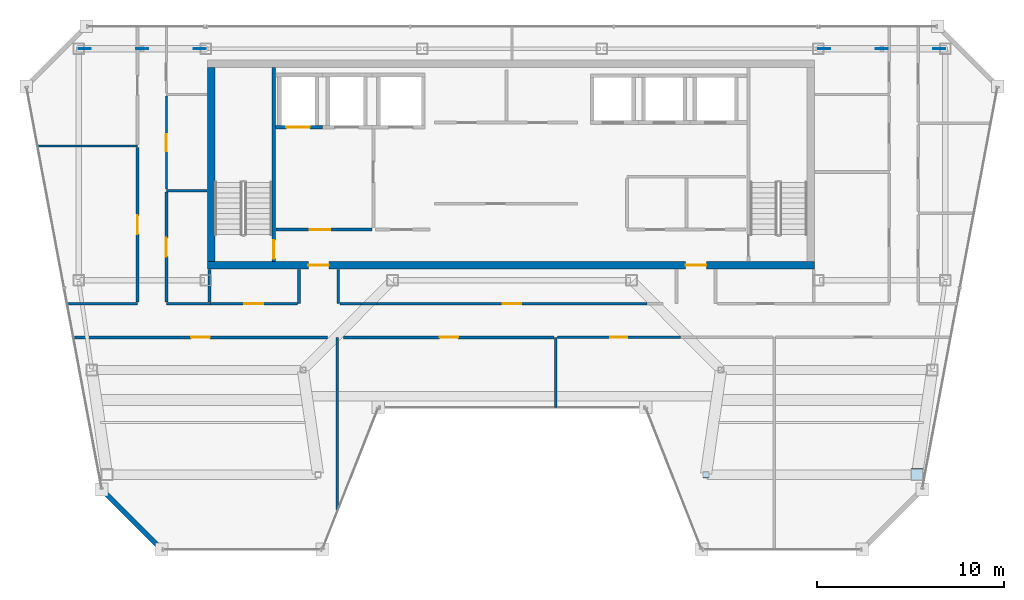
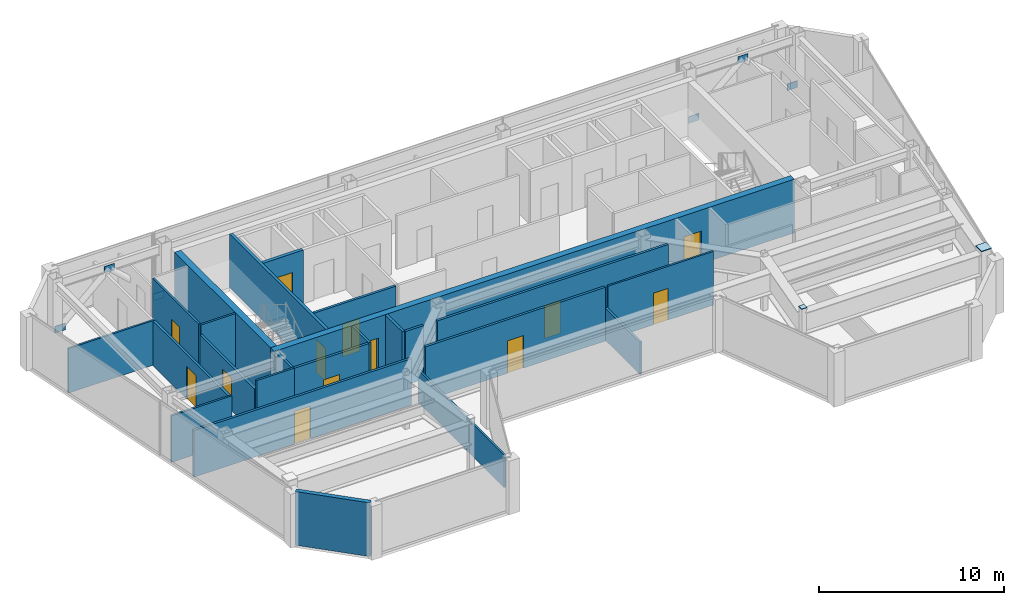
# One storey, part 19 of 23: 25 walls, 13 doors, 8 plates, 13 openings.
"""IFC4 building model written with IfcOpenShell, lengths in metres."""

from ifc_helpers import new_model, si_unit, direction, frame, frame_2d, origin, origin_2d, place, context, subcontext, project, spatial, rectangle, extrude, material, layer, layer_set, type_object, element, fill, save


model = new_model("IFC4")

# Units and contexts
model_context = context("Model", 3, precision=1e-05, world=origin(), true_north=direction((0.0, 1.0)))
body_context = subcontext(model_context, "Body", "Model", "MODEL_VIEW")
ifc_project = project(units=[si_unit("LENGTHUNIT", "METRE"), si_unit("AREAUNIT", "SQUARE_METRE"), si_unit("VOLUMEUNIT", "CUBIC_METRE"), si_unit("PLANEANGLEUNIT", "RADIAN"), si_unit("MASSUNIT", "GRAM", prefix="KILO")], contexts=[model_context])

# Site, building, storey
site_placement = place(None, origin())
site = spatial("IfcSite", under=ifc_project, at=site_placement, CompositionType="ELEMENT")
building_placement = place(site_placement, origin())
building = spatial("IfcBuilding", under=site, at=building_placement, Name="Saevonmaru Cultural Tower", CompositionType="ELEMENT")
storey_placement = place(building_placement, frame((0.0, 0.0, 291.39990234375)))
storey = spatial("IfcBuildingStorey", under=building, at=storey_placement, Name="L69", CompositionType="ELEMENT", Elevation=291.39990234375)

# Plates
ifc_material_1 = material(Name="Steel HSA600 (600 MPa)", Category="steel")
ifc_layer_1 = layer(ifc_material_1, 0.0400390625, Name="Steel HSA600 (600 MPa)")
ifc_layer_set_1 = layer_set([ifc_layer_1], Name="Steel HSA600 (600 MPa)")
plate_type_1 = type_object("IfcPlateType", Name="PL-CAP-300", PredefinedType="USERDEFINED", material=ifc_layer_set_1)
plate_1_placement = place(storey_placement, frame((40.383056640625, 32.0, 3.795166015625), z_axis=(0.0, 0.0, 1.0), x_axis=(1.0, 0.0, 0.0)))
element("IfcPlate", 1, at=plate_1_placement, inside=storey, type_object=plate_type_1, Name="Column head cap plate TC-EI-Y320 L69", ObjectType="CAP_PLATE", PredefinedType="USERDEFINED", context=body_context, shape_type="SweptSolid", body=[
    extrude(rectangle(XDim=0.340087890625, YDim=0.340087890625, at=origin_2d()), origin(), (0.0, 0.0, 1.0), 0.0400390625),
])
ifc_layer_2 = layer(ifc_material_1, 0.0400390625, Name="Steel HSA600 (600 MPa)")
ifc_layer_set_2 = layer_set([ifc_layer_2], Name="Steel HSA600 (600 MPa)")
plate_type_2 = type_object("IfcPlateType", Name="PL-CAP-600", PredefinedType="USERDEFINED", material=ifc_layer_set_2)
plate_2_placement = place(storey_placement, frame((51.68310546875, 32.0, 3.795166015625), z_axis=(0.0, 0.0, 1.0), x_axis=(1.0, 0.0, 0.0)))
element("IfcPlate", 2, at=plate_2_placement, inside=storey, type_object=plate_type_2, Name="Column head cap plate TC-EO-Y320 L69", ObjectType="CAP_PLATE", PredefinedType="USERDEFINED", context=body_context, shape_type="SweptSolid", body=[
    extrude(rectangle(XDim=0.639892578125, YDim=0.639892578125, at=origin_2d()), origin(), (0.0, 0.0, 1.0), 0.0400390625),
])
ifc_layer_3 = layer(ifc_material_1, 0.0400390625, Name="Steel HSA600 (600 MPa)")
ifc_layer_set_3 = layer_set([ifc_layer_3], Name="Steel HSA600 (600 MPa)")
plate_type_3 = type_object("IfcPlateType", Name="PL-GUSSET-EXT", PredefinedType="USERDEFINED", material=ifc_layer_set_3)
for number, where, z_axis, x_axis, name in (
    (3, (10.199951171875, 54.800048828125, 2.900146484375), (0.0, 0.0, 1.0), (1.0, 0.0, 0.0), "L69 Perimeter Tube Gusset Plate"),
    (4, (7.1201171875, 54.800048828125, 0.02001953125), (0.0, 0.0, 1.0), (1.0, 0.0, 0.0), "L69 Perimeter Tube Gusset Plate"),
    (5, (13.280029296875, 54.800048828125, 0.02001953125), (0.0, 0.0, 1.0), (1.0, 0.0, 0.0), "L69 Perimeter Tube Gusset Plate"),
    (6, (49.800048828125, 54.800048828125, 2.900146484375), (0.0, 0.0, 1.0), (1.0, 0.0, 0.0), "L69 Perimeter Tube Gusset Plate"),
    (7, (46.719970703125, 54.800048828125, 0.02001953125), (0.0, 0.0, 1.0), (1.0, 0.0, 0.0), "L69 Perimeter Tube Gusset Plate"),
    (8, (52.8798828125, 54.800048828125, 0.02001953125), (0.0, 0.0, 1.0), (1.0, 0.0, 0.0), "L69 Perimeter Tube Gusset Plate"),
):
    element("IfcPlate", number, at=place(storey_placement, frame(where, z_axis=z_axis, x_axis=x_axis)), inside=storey, type_object=plate_type_3, Name=name, ObjectType="GUSSET_PLATE", PredefinedType="USERDEFINED", context=body_context, shape_type="SweptSolid", body=[
        extrude(rectangle(XDim=0.639892578125, YDim=0.0400390625, at=origin_2d()), origin(), (0.0, 0.0, 1.0), 0.43994140625),
    ])

# Wall, openings, doors
ifc_material_2 = material(Name="Concrete C50/60", Category="concrete")
ifc_layer_4 = layer(ifc_material_2, 0.39990234375, Name="Concrete C50/60")
ifc_layer_set_4 = layer_set([ifc_layer_4], Name="Concrete C50/60")
wall_type_1 = type_object("IfcWallType", Name="WL-CORE-400", PredefinedType="SHEAR", material=ifc_layer_set_4)
wall_1_placement = place(storey_placement, frame((13.699951171875, 43.199951171875, 0.0), z_axis=(0.0, 0.0, 1.0), x_axis=(1.0, 0.0, 0.0)))
wall_1 = element("IfcWall", 9, at=wall_1_placement, inside=storey, type_object=wall_type_1, Name="L69 Tower RC core shear wall S", PredefinedType="SHEAR", context=body_context, shape_type="SweptSolid", body=[
    extrude(rectangle(XDim=32.5, YDim=0.39990234375, at=frame_2d((16.25, 0.0))), origin(), (0.0, 0.0, 1.0), 3.550048828125),
])
opening_1_placement = place(wall_1_placement, frame((5.39990234375, 0.0, 0.0)))
opening_1 = element("IfcOpeningElement", 10, at=opening_1_placement, cuts=wall_1, Name="Opening FD-2", PredefinedType="OPENING", context=body_context, shape_type="SweptSolid", body=[
    extrude(rectangle(XDim=1.10009765625, YDim=2.14990234375, at=frame_2d((0.550048828125, 1.074951171875))), frame((0.0, 0.2099609375, 0.0), z_axis=(0.0, -1.0, 0.0), x_axis=(1.0, 0.0, 0.0)), (0.0, 0.0, 1.0), 0.419921875),
])
opening_2_placement = place(wall_1_placement, frame((25.60009765625, 0.0, 0.0)))
opening_2 = element("IfcOpeningElement", 11, at=opening_2_placement, cuts=wall_1, Name="Opening FD-2", PredefinedType="OPENING", context=body_context, shape_type="SweptSolid", body=[
    extrude(rectangle(XDim=1.10009765625, YDim=2.14990234375, at=frame_2d((0.550048828125, 1.074951171875))), frame((0.0, 0.2099609375, 0.0), z_axis=(0.0, -1.0, 0.0), x_axis=(1.0, 0.0, 0.0)), (0.0, 0.0, 1.0), 0.419921875),
])
ifc_material_3 = material(Name="Satin Bronze Anodised Aluminium", Category="aluminium")
door_type_1 = type_object("IfcDoorType", Name="DR-FD60-1100", OperationType="SINGLE_SWING_LEFT", PredefinedType="DOOR", material=ifc_material_3)
door_1_placement = place(opening_1_placement, origin())
door_1 = element("IfcDoor", 12, at=door_1_placement, inside=storey, type_object=door_type_1, Name="L69 Core West Lobby Fire Door", OperationType="SINGLE_SWING_LEFT", OverallHeight=2.14990234375, OverallWidth=1.10009765625, PredefinedType="DOOR", context=body_context, shape_type="SweptSolid", body=[
    extrude(rectangle(XDim=1.10009765625, YDim=2.14990234375, at=frame_2d((0.550048828125, 1.074951171875))), frame((0.0, 0.02490234375, 0.0), z_axis=(0.0, -1.0, 0.0), x_axis=(1.0, 0.0, 0.0)), (0.0, 0.0, 1.0), 0.050048828125),
])
fill(opening_1, door_1)
door_2_placement = place(opening_2_placement, origin())
door_2 = element("IfcDoor", 13, at=door_2_placement, inside=storey, type_object=door_type_1, Name="L69 Core East Lobby Fire Door", OperationType="SINGLE_SWING_LEFT", OverallHeight=2.14990234375, OverallWidth=1.10009765625, PredefinedType="DOOR", context=body_context, shape_type="SweptSolid", body=[
    extrude(rectangle(XDim=1.10009765625, YDim=2.14990234375, at=frame_2d((0.550048828125, 1.074951171875))), frame((0.0, 0.02490234375, 0.0), z_axis=(0.0, -1.0, 0.0), x_axis=(1.0, 0.0, 0.0)), (0.0, 0.0, 1.0), 0.050048828125),
])
fill(opening_2, door_2)

# Wall
wall_2_placement = place(storey_placement, frame((13.89990234375, 43.39990234375, 0.0), z_axis=(0.0, 0.0, 1.0), x_axis=(0.0, 1.0, 0.0)))
element("IfcWall", 14, at=wall_2_placement, inside=storey, type_object=wall_type_1, Name="L69 Tower RC core shear wall W", PredefinedType="SHEAR", context=body_context, shape_type="SweptSolid", body=[
    extrude(rectangle(XDim=10.400146484375, YDim=0.39990234375, at=frame_2d((5.2001953125, 0.0))), origin(), (0.0, 0.0, 1.0), 3.550048828125),
])

# Wall, opening, door
ifc_material_4 = material(Name="Gypsum Fireboard Partition", Category="gypsum")
ifc_layer_5 = layer(ifc_material_4, 0.14990234375, Name="Gypsum Fireboard Partition")
ifc_layer_set_5 = layer_set([ifc_layer_5], Name="Gypsum Fireboard Partition")
wall_type_2 = type_object("IfcWallType", Name="WL-CORE-PART-150", PredefinedType="PARTITIONING", material=ifc_layer_set_5)
wall_3_placement = place(storey_placement, frame((17.360107421875, 45.1201171875, 0.0), z_axis=(0.0, 0.0, 1.0), x_axis=(1.0, 0.0, 0.0)))
wall_3 = element("IfcWall", 15, at=wall_3_placement, inside=storey, type_object=wall_type_2, Name="L69 Firefighting Lift Lobby South Wall", PredefinedType="PARTITIONING", context=body_context, shape_type="SweptSolid", body=[
    extrude(rectangle(XDim=5.139892578125, YDim=0.14990234375, at=frame_2d((2.56982421875, 0.0))), origin(), (0.0, 0.0, 1.0), 3.550048828125),
])
opening_3_placement = place(wall_3_placement, frame((1.800048828125, 0.0, 0.0)))
opening_3 = element("IfcOpeningElement", 16, at=opening_3_placement, cuts=wall_3, Name="Opening FD-2", PredefinedType="OPENING", context=body_context, shape_type="SweptSolid", body=[
    extrude(rectangle(XDim=1.10009765625, YDim=2.14990234375, at=frame_2d((0.550048828125, 1.074951171875))), frame((0.0, 0.0849609375, 0.0), z_axis=(0.0, -1.0, 0.0), x_axis=(1.0, 0.0, 0.0)), (0.0, 0.0, 1.0), 0.169921875),
])
door_3_placement = place(opening_3_placement, origin())
door_3 = element("IfcDoor", 17, at=door_3_placement, inside=storey, type_object=door_type_1, Name="L69 Firefighting Lift Lobby South Door", OperationType="SINGLE_SWING_LEFT", OverallHeight=2.14990234375, OverallWidth=1.10009765625, PredefinedType="DOOR", context=body_context, shape_type="SweptSolid", body=[
    extrude(rectangle(XDim=1.10009765625, YDim=2.14990234375, at=frame_2d((0.550048828125, 1.074951171875))), frame((0.0, 0.02490234375, 0.0), z_axis=(0.0, -1.0, 0.0), x_axis=(1.0, 0.0, 0.0)), (0.0, 0.0, 1.0), 0.050048828125),
])
fill(opening_3, door_3)

# Wall
ifc_material_5 = material(Name="Granite-Clad Precast Concrete C40/50", Category="masonry")
ifc_layer_6 = layer(ifc_material_5, 0.260009765625, Name="Granite-Clad Precast Concrete C40/50")
ifc_layer_set_6 = layer_set([ifc_layer_6], Name="Granite-Clad Precast Concrete C40/50")
wall_type_3 = type_object("IfcWallType", Name="WL-EXT-SPANDREL-260", PredefinedType="STANDARD", material=ifc_layer_set_6)
wall_4_placement = place(storey_placement, frame((8.157470703125, 31.0869140625, 0.0), z_axis=(0.0, 0.0, 1.0), x_axis=(0.707106781187, -0.707106781187, 0.0)))
element("IfcWall", 18, at=wall_4_placement, inside=storey, type_object=wall_type_3, Name="L69 Chamfer Corner Spandrel Wall E1", PredefinedType="STANDARD", context=body_context, shape_type="SweptSolid", body=[
    extrude(rectangle(XDim=4.205810546875, YDim=0.260009765625, at=frame_2d((2.10302734375, 0.0))), origin(), (0.0, 0.0, 1.0), 3.550048828125),
])

# Wall, opening, door
ifc_layer_7 = layer(ifc_material_4, 0.14990234375, Name="Gypsum Fireboard Partition")
ifc_layer_set_7 = layer_set([ifc_layer_7], Name="Gypsum Fireboard Partition")
wall_type_4 = type_object("IfcWallType", Name="WL-PART-FIRE-150", PredefinedType="PARTITIONING", material=ifc_layer_set_7)
wall_5_placement = place(storey_placement, frame((9.949951171875, 41.22998046875, 0.0), z_axis=(0.0, 0.0, 1.0), x_axis=(0.0, 1.0, 0.0)))
wall_5 = element("IfcWall", 19, at=wall_5_placement, inside=storey, type_object=wall_type_4, Name="L69 Acoustic Chamber Auditorium Corridor Wall", PredefinedType="PARTITIONING", context=body_context, shape_type="SweptSolid", body=[
    extrude(rectangle(XDim=8.2900390625, YDim=0.14990234375, at=frame_2d((4.14501953125, 0.0))), origin(), (0.0, 0.0, 1.0), 2.947021484375),
])
opening_4_placement = place(wall_5_placement, frame((3.64501953125, 0.0, 0.0)))
opening_4 = element("IfcOpeningElement", 20, at=opening_4_placement, cuts=wall_5, Name="Opening ID-1B", PredefinedType="OPENING", context=body_context, shape_type="SweptSolid", body=[
    extrude(rectangle(XDim=1.0, YDim=2.14990234375, at=frame_2d((0.5, 1.074951171875))), frame((0.0, 0.0849609375, 0.0), z_axis=(0.0, -1.0, 0.0), x_axis=(1.0, 0.0, 0.0)), (0.0, 0.0, 1.0), 0.169921875),
])
ifc_material_6 = material(Name="Acoustic Stained Oak Timber", Category="wood")
door_type_2 = type_object("IfcDoorType", Name="DR-INT-1000", OperationType="SINGLE_SWING_RIGHT", PredefinedType="DOOR", material=ifc_material_6)
door_4_placement = place(opening_4_placement, origin())
door_4 = element("IfcDoor", 21, at=door_4_placement, inside=storey, type_object=door_type_2, Name="L69 Acoustic Chamber Auditorium Door", OperationType="SINGLE_SWING_RIGHT", OverallHeight=2.14990234375, OverallWidth=1.0, PredefinedType="DOOR", context=body_context, shape_type="SweptSolid", body=[
    extrude(rectangle(XDim=1.0, YDim=2.14990234375, at=frame_2d((0.5, 1.074951171875))), frame((0.0, 0.02490234375, 0.0), z_axis=(0.0, -1.0, 0.0), x_axis=(1.0, 0.0, 0.0)), (0.0, 0.0, 1.0), 0.050048828125),
])
fill(opening_4, door_4)

wall_6_placement = place(storey_placement, frame((11.5, 41.22998046875, 0.0), z_axis=(0.0, 0.0, 1.0), x_axis=(0.0, 1.0, 0.0)))
wall_6 = element("IfcWall", 22, at=wall_6_placement, inside=storey, type_object=wall_type_4, Name="L69 Sound Art Screening Auditorium Corridor Wall", PredefinedType="PARTITIONING", context=body_context, shape_type="SweptSolid", body=[
    extrude(rectangle(XDim=5.89013671875, YDim=0.14990234375, at=frame_2d((2.945068359375, 0.0))), origin(), (0.0, 0.0, 1.0), 2.947021484375),
])
opening_5_placement = place(wall_6_placement, frame((2.445068359375, 0.0, 0.0)))
opening_5 = element("IfcOpeningElement", 23, at=opening_5_placement, cuts=wall_6, Name="Opening ID-1B", PredefinedType="OPENING", context=body_context, shape_type="SweptSolid", body=[
    extrude(rectangle(XDim=1.0, YDim=2.14990234375, at=frame_2d((0.5, 1.074951171875))), frame((0.0, 0.0849609375, 0.0), z_axis=(0.0, -1.0, 0.0), x_axis=(1.0, 0.0, 0.0)), (0.0, 0.0, 1.0), 0.169921875),
])
door_5_placement = place(opening_5_placement, origin())
door_5 = element("IfcDoor", 24, at=door_5_placement, inside=storey, type_object=door_type_2, Name="L69 Sound Art Screening Auditorium Door", OperationType="SINGLE_SWING_RIGHT", OverallHeight=2.14990234375, OverallWidth=1.0, PredefinedType="DOOR", context=body_context, shape_type="SweptSolid", body=[
    extrude(rectangle(XDim=1.0, YDim=2.14990234375, at=frame_2d((0.5, 1.074951171875))), frame((0.0, 0.02490234375, 0.0), z_axis=(0.0, -1.0, 0.0), x_axis=(1.0, 0.0, 0.0)), (0.0, 0.0, 1.0), 0.050048828125),
])
fill(opening_5, door_5)

# Walls
wall_7_placement = place(storey_placement, frame((13.800048828125, 41.22998046875, 0.0), z_axis=(0.0, 0.0, 1.0), x_axis=(0.0, 1.0, 0.0)))
element("IfcWall", 25, at=wall_7_placement, inside=storey, type_object=wall_type_4, Name="L69 Core Portal Side Wall W0", PredefinedType="PARTITIONING", context=body_context, shape_type="SweptSolid", body=[
    extrude(rectangle(XDim=1.75, YDim=0.14990234375, at=frame_2d((0.875, 0.0))), origin(), (0.0, 0.0, 1.0), 3.550048828125),
])
for number, where, z_axis, x_axis, name in (
    (26, (18.60009765625, 41.14990234375, 0.0), (0.0, 0.0, 1.0), (0.0, 1.0, 0.0), "L69 Core Portal Side Wall W1"),
    (27, (20.699951171875, 41.14990234375, 0.0), (0.0, 0.0, 1.0), (0.0, 1.0, 0.0), "L69 Core Portal Side Wall W2"),
):
    element("IfcWall", number, at=place(storey_placement, frame(where, z_axis=z_axis, x_axis=x_axis)), inside=storey, type_object=wall_type_4, Name=name, PredefinedType="PARTITIONING", context=body_context, shape_type="SweptSolid", body=[
        extrude(rectangle(XDim=1.830078125, YDim=0.14990234375, at=frame_2d((0.9150390625, 0.0))), origin(), (0.0, 0.0, 1.0), 3.550048828125),
    ])

# Wall, opening, door
wall_8_placement = place(storey_placement, frame((13.85009765625, 41.14990234375, 0.0), z_axis=(0.0, 0.0, 1.0), x_axis=(1.0, 0.0, 0.0)))
wall_8 = element("IfcWall", 28, at=wall_8_placement, inside=storey, type_object=wall_type_4, Name="L69 Acoustic Chamber Auditorium Corridor Wall", PredefinedType="PARTITIONING", context=body_context, shape_type="SweptSolid", body=[
    extrude(rectangle(XDim=4.65478515625, YDim=0.14990234375, at=frame_2d((2.327392578125, 0.0))), origin(), (0.0, 0.0, 1.0), 3.550048828125),
])
opening_6_placement = place(wall_8_placement, frame((1.826904296875, 0.0, 0.0)))
opening_6 = element("IfcOpeningElement", 29, at=opening_6_placement, cuts=wall_8, Name="Opening ID-1B", PredefinedType="OPENING", context=body_context, shape_type="SweptSolid", body=[
    extrude(rectangle(XDim=1.0, YDim=2.14990234375, at=frame_2d((0.5, 1.074951171875))), frame((0.0, 0.0849609375, 0.0), z_axis=(0.0, -1.0, 0.0), x_axis=(1.0, 0.0, 0.0)), (0.0, 0.0, 1.0), 0.169921875),
])
door_6_placement = place(opening_6_placement, origin())
door_6 = element("IfcDoor", 30, at=door_6_placement, inside=storey, type_object=door_type_2, Name="L69 Acoustic Chamber Auditorium Door", OperationType="SINGLE_SWING_LEFT", OverallHeight=2.14990234375, OverallWidth=1.0, PredefinedType="DOOR", context=body_context, shape_type="SweptSolid", body=[
    extrude(rectangle(XDim=1.0, YDim=2.14990234375, at=frame_2d((0.5, 1.074951171875))), frame((0.0, 0.02490234375, 0.0), z_axis=(0.0, -1.0, 0.0), x_axis=(1.0, 0.0, 0.0)), (0.0, 0.0, 1.0), 0.050048828125),
])
fill(opening_6, door_6)

wall_9_placement = place(storey_placement, frame((22.783203125, 41.14990234375, 0.0), z_axis=(0.0, 0.0, 1.0), x_axis=(1.0, 0.0, 0.0)))
wall_9 = element("IfcWall", 31, at=wall_9_placement, inside=storey, type_object=wall_type_4, Name="L69 Sound Art Screening Auditorium Corridor Wall", PredefinedType="PARTITIONING", context=body_context, shape_type="SweptSolid", body=[
    extrude(rectangle(XDim=14.43359375, YDim=0.14990234375, at=frame_2d((7.216796875, 0.0))), origin(), (0.0, 0.0, 1.0), 3.550048828125),
])
opening_7_placement = place(wall_9_placement, frame((6.717041015625, 0.0, 0.0)))
opening_7 = element("IfcOpeningElement", 32, at=opening_7_placement, cuts=wall_9, Name="Opening ID-1B", PredefinedType="OPENING", context=body_context, shape_type="SweptSolid", body=[
    extrude(rectangle(XDim=1.0, YDim=2.14990234375, at=frame_2d((0.5, 1.074951171875))), frame((0.0, 0.0849609375, 0.0), z_axis=(0.0, -1.0, 0.0), x_axis=(1.0, 0.0, 0.0)), (0.0, 0.0, 1.0), 0.169921875),
])
door_7_placement = place(opening_7_placement, origin())
door_7 = element("IfcDoor", 33, at=door_7_placement, inside=storey, type_object=door_type_2, Name="L69 Sound Art Screening Auditorium Door", OperationType="SINGLE_SWING_RIGHT", OverallHeight=2.14990234375, OverallWidth=1.0, PredefinedType="DOOR", context=body_context, shape_type="SweptSolid", body=[
    extrude(rectangle(XDim=1.0, YDim=2.14990234375, at=frame_2d((0.5, 1.074951171875))), frame((0.0, 0.02490234375, 0.0), z_axis=(0.0, -1.0, 0.0), x_axis=(1.0, 0.0, 0.0)), (0.0, 0.0, 1.0), 0.050048828125),
])
fill(opening_7, door_7)

# Walls
wall_10_placement = place(storey_placement, frame((20.794921875, 41.14990234375, 0.0), z_axis=(0.0, 0.0, 1.0), x_axis=(1.0, 0.0, 0.0)))
element("IfcWall", 34, at=wall_10_placement, inside=storey, type_object=wall_type_4, Name="L69 Sound Art Screening Auditorium Corridor Wall (2)", PredefinedType="PARTITIONING", context=body_context, shape_type="SweptSolid", body=[
    extrude(rectangle(XDim=1.126220703125, YDim=0.14990234375, at=frame_2d((0.56298828125, 0.0))), origin(), (0.0, 0.0, 1.0), 3.550048828125),
])
wall_11_placement = place(storey_placement, frame((21.921142578125, 41.14990234375, 0.0), z_axis=(0.0, 0.0, 1.0), x_axis=(1.0, 0.0, 0.0)))
element("IfcWall", 35, at=wall_11_placement, inside=storey, type_object=wall_type_4, Name="L69 Sound Art Screening Auditorium Corridor Wall (3)", PredefinedType="PARTITIONING", context=body_context, shape_type="SweptSolid", body=[
    extrude(rectangle(XDim=0.862060546875, YDim=0.14990234375, at=frame_2d((0.43115234375, 0.0))), origin(), (0.0, 0.0, 1.0), 2.135009765625),
])

# Wall, opening, door
wall_12_placement = place(storey_placement, frame((6.5234375, 39.35009765625, 0.0), z_axis=(0.0, 0.0, 1.0), x_axis=(1.0, 0.0, 0.0)))
wall_12 = element("IfcWall", 36, at=wall_12_placement, inside=storey, type_object=wall_type_4, Name="L69 Acoustic Chamber Auditorium Corridor Wall", PredefinedType="PARTITIONING", context=body_context, shape_type="SweptSolid", body=[
    extrude(rectangle(XDim=13.6005859375, YDim=0.14990234375, at=frame_2d((6.80029296875, 0.0))), origin(), (0.0, 0.0, 1.0), 3.085205078125),
])
opening_8_placement = place(wall_12_placement, frame((6.300048828125, 0.0, 0.0)))
opening_8 = element("IfcOpeningElement", 37, at=opening_8_placement, cuts=wall_12, Name="Opening ID-1B", PredefinedType="OPENING", context=body_context, shape_type="SweptSolid", body=[
    extrude(rectangle(XDim=1.0, YDim=2.14990234375, at=frame_2d((0.5, 1.074951171875))), frame((0.0, 0.0849609375, 0.0), z_axis=(0.0, -1.0, 0.0), x_axis=(1.0, 0.0, 0.0)), (0.0, 0.0, 1.0), 0.169921875),
])
door_8_placement = place(opening_8_placement, origin())
door_8 = element("IfcDoor", 38, at=door_8_placement, inside=storey, type_object=door_type_2, Name="L69 Acoustic Chamber Auditorium Door", OperationType="SINGLE_SWING_RIGHT", OverallHeight=2.14990234375, OverallWidth=1.0, PredefinedType="DOOR", context=body_context, shape_type="SweptSolid", body=[
    extrude(rectangle(XDim=1.0, YDim=2.14990234375, at=frame_2d((0.5, 1.074951171875))), frame((0.0, 0.02490234375, 0.0), z_axis=(0.0, -1.0, 0.0), x_axis=(1.0, 0.0, 0.0)), (0.0, 0.0, 1.0), 0.050048828125),
])
fill(opening_8, door_8)

wall_13_placement = place(storey_placement, frame((20.986083984375, 39.35009765625, 0.0), z_axis=(0.0, 0.0, 1.0), x_axis=(1.0, 0.0, 0.0)))
wall_13 = element("IfcWall", 39, at=wall_13_placement, inside=storey, type_object=wall_type_4, Name="L69 Sound Art Screening Auditorium Corridor Wall", PredefinedType="PARTITIONING", context=body_context, shape_type="SweptSolid", body=[
    extrude(rectangle(XDim=11.266357421875, YDim=0.14990234375, at=frame_2d((5.63330078125, 0.0))), origin(), (0.0, 0.0, 1.0), 3.550048828125),
])
opening_9_placement = place(wall_13_placement, frame((5.133056640625, 0.0, 0.0)))
opening_9 = element("IfcOpeningElement", 40, at=opening_9_placement, cuts=wall_13, Name="Opening ID-1B", PredefinedType="OPENING", context=body_context, shape_type="SweptSolid", body=[
    extrude(rectangle(XDim=1.0, YDim=2.14990234375, at=frame_2d((0.5, 1.074951171875))), frame((0.0, 0.0849609375, 0.0), z_axis=(0.0, -1.0, 0.0), x_axis=(1.0, 0.0, 0.0)), (0.0, 0.0, 1.0), 0.169921875),
])
door_9_placement = place(opening_9_placement, origin())
door_9 = element("IfcDoor", 41, at=door_9_placement, inside=storey, type_object=door_type_2, Name="L69 Sound Art Screening Auditorium Door", OperationType="SINGLE_SWING_LEFT", OverallHeight=2.14990234375, OverallWidth=1.0, PredefinedType="DOOR", context=body_context, shape_type="SweptSolid", body=[
    extrude(rectangle(XDim=1.0, YDim=2.14990234375, at=frame_2d((0.5, 1.074951171875))), frame((0.0, 0.02490234375, 0.0), z_axis=(0.0, -1.0, 0.0), x_axis=(1.0, 0.0, 0.0)), (0.0, 0.0, 1.0), 0.050048828125),
])
fill(opening_9, door_9)

# Walls
ifc_layer_8 = layer(ifc_material_4, 0.1201171875, Name="Gypsum Fireboard Partition")
ifc_layer_set_8 = layer_set([ifc_layer_8], Name="Gypsum Fireboard Partition")
wall_type_5 = type_object("IfcWallType", Name="WL-PART-GYP-120", PredefinedType="PARTITIONING", material=ifc_layer_set_8)
wall_14_placement = place(storey_placement, frame((6.186279296875, 41.14990234375, 0.0), z_axis=(0.0, 0.0, 1.0), x_axis=(1.0, 0.0, 0.0)))
element("IfcWall", 42, at=wall_14_placement, inside=storey, type_object=wall_type_5, Name="L69 NW Wing South Wall", PredefinedType="PARTITIONING", context=body_context, shape_type="SweptSolid", body=[
    extrude(rectangle(XDim=3.763671875, YDim=0.1201171875, at=frame_2d((1.8818359375, 0.0))), origin(), (0.0, 0.0, 1.0), 3.085205078125),
])
wall_15_placement = place(storey_placement, frame((11.5, 41.14990234375, 0.0), z_axis=(0.0, 0.0, 1.0), x_axis=(1.0, 0.0, 0.0)))
element("IfcWall", 43, at=wall_15_placement, inside=storey, type_object=wall_type_5, Name="L69 NW Inner South Wall", PredefinedType="PARTITIONING", context=body_context, shape_type="SweptSolid", body=[
    extrude(rectangle(XDim=2.35009765625, YDim=0.1201171875, at=frame_2d((1.175048828125, 0.0))), origin(), (0.0, 0.0, 1.0), 3.550048828125),
])
wall_16_placement = place(storey_placement, frame((4.604248046875, 49.60009765625, 0.0), z_axis=(0.0, 0.0, 1.0), x_axis=(1.0, 0.0, 0.0)))
element("IfcWall", 44, at=wall_16_placement, inside=storey, type_object=wall_type_5, Name="L69 NW Studio Divider 1", PredefinedType="PARTITIONING", context=body_context, shape_type="SweptSolid", body=[
    extrude(rectangle(XDim=5.345703125, YDim=0.1201171875, at=frame_2d((2.6728515625, 0.0))), origin(), (0.0, 0.0, 1.0), 2.947021484375),
])
wall_17_placement = place(storey_placement, frame((11.5, 47.199951171875, 0.0), z_axis=(0.0, 0.0, 1.0), x_axis=(1.0, 0.0, 0.0)))
element("IfcWall", 45, at=wall_17_placement, inside=storey, type_object=wall_type_5, Name="L69 NW Inner Divider", PredefinedType="PARTITIONING", context=body_context, shape_type="SweptSolid", body=[
    extrude(rectangle(XDim=2.179931640625, YDim=0.1201171875, at=frame_2d((1.08984375, 0.0))), origin(), (0.0, 0.0, 1.0), 3.550048828125),
])

# Wall, opening, door
wall_18_placement = place(storey_placement, frame((11.5, 47.280029296875, 0.0), z_axis=(0.0, 0.0, 1.0), x_axis=(0.0, 1.0, 0.0)))
wall_18 = element("IfcWall", 46, at=wall_18_placement, inside=storey, type_object=wall_type_5, Name="L69 Civic Policy Meeting Room Corridor Wall", PredefinedType="PARTITIONING", context=body_context, shape_type="SweptSolid", body=[
    extrude(rectangle(XDim=4.989990234375, YDim=0.1201171875, at=frame_2d((2.4951171875, 0.0))), origin(), (0.0, 0.0, 1.0), 3.550048828125),
])
opening_10_placement = place(wall_18_placement, frame((2.044921875, 0.0, 0.0)))
opening_10 = element("IfcOpeningElement", 47, at=opening_10_placement, cuts=wall_18, Name="Opening ID-2", PredefinedType="OPENING", context=body_context, shape_type="SweptSolid", body=[
    extrude(rectangle(XDim=0.89990234375, YDim=2.10009765625, at=frame_2d((0.449951171875, 1.050048828125))), frame((0.0, 0.070068359375, 0.0), z_axis=(0.0, -1.0, 0.0), x_axis=(1.0, 0.0, 0.0)), (0.0, 0.0, 1.0), 0.14013671875),
])
door_type_3 = type_object("IfcDoorType", Name="DR-INT-900", OperationType="SINGLE_SWING_RIGHT", PredefinedType="DOOR", material=ifc_material_6)
door_10_placement = place(opening_10_placement, origin())
door_10 = element("IfcDoor", 48, at=door_10_placement, inside=storey, type_object=door_type_3, Name="L69 Civic Policy Meeting Room Door", OperationType="SINGLE_SWING_LEFT", OverallHeight=2.10009765625, OverallWidth=0.89990234375, PredefinedType="DOOR", context=body_context, shape_type="SweptSolid", body=[
    extrude(rectangle(XDim=0.89990234375, YDim=2.10009765625, at=frame_2d((0.449951171875, 1.050048828125))), frame((0.0, 0.02490234375, 0.0), z_axis=(0.0, -1.0, 0.0), x_axis=(1.0, 0.0, 0.0)), (0.0, 0.0, 1.0), 0.050048828125),
])
fill(opening_10, door_10)

# Wall
wall_19_placement = place(storey_placement, frame((20.639892578125, 30.029052734375, 0.0), z_axis=(0.0, 0.0, 1.0), x_axis=(0.0, 1.0, 0.0)))
element("IfcWall", 49, at=wall_19_placement, inside=storey, type_object=wall_type_5, Name="L69 Observatory Bay Divider 1", PredefinedType="PARTITIONING", context=body_context, shape_type="SweptSolid", body=[
    extrude(rectangle(XDim=9.321044921875, YDim=0.1201171875, at=frame_2d((4.66064453125, 0.0))), origin(), (0.0, 0.0, 1.0), 2.135009765625),
])

# Wall, opening, door
wall_20_placement = place(storey_placement, frame((32.427490234375, 39.35009765625, 0.0), z_axis=(0.0, 0.0, 1.0), x_axis=(1.0, 0.0, 0.0)))
wall_20 = element("IfcWall", 50, at=wall_20_placement, inside=storey, type_object=wall_type_5, Name="L69 Civic Policy Meeting Room Corridor Wall", PredefinedType="PARTITIONING", context=body_context, shape_type="SweptSolid", body=[
    extrude(rectangle(XDim=6.58642578125, YDim=0.1201171875, at=frame_2d((3.293212890625, 0.0))), origin(), (0.0, 0.0, 1.0), 3.550048828125),
])
opening_11_placement = place(wall_20_placement, frame((2.843017578125, 0.0, 0.0)))
opening_11 = element("IfcOpeningElement", 51, at=opening_11_placement, cuts=wall_20, Name="Opening ID-2", PredefinedType="OPENING", context=body_context, shape_type="SweptSolid", body=[
    extrude(rectangle(XDim=0.89990234375, YDim=2.10009765625, at=frame_2d((0.449951171875, 1.050048828125))), frame((0.0, 0.070068359375, 0.0), z_axis=(0.0, -1.0, 0.0), x_axis=(1.0, 0.0, 0.0)), (0.0, 0.0, 1.0), 0.14013671875),
])
door_11_placement = place(opening_11_placement, origin())
door_11 = element("IfcDoor", 52, at=door_11_placement, inside=storey, type_object=door_type_3, Name="L69 Civic Policy Meeting Room Door", OperationType="SINGLE_SWING_RIGHT", OverallHeight=2.10009765625, OverallWidth=0.89990234375, PredefinedType="DOOR", context=body_context, shape_type="SweptSolid", body=[
    extrude(rectangle(XDim=0.89990234375, YDim=2.10009765625, at=frame_2d((0.449951171875, 1.050048828125))), frame((0.0, 0.02490234375, 0.0), z_axis=(0.0, -1.0, 0.0), x_axis=(1.0, 0.0, 0.0)), (0.0, 0.0, 1.0), 0.050048828125),
])
fill(opening_11, door_11)

# Wall
ifc_layer_9 = layer(ifc_material_4, 0.135009765625, Name="Gypsum Fireboard Partition")
ifc_layer_set_9 = layer_set([ifc_layer_9], Name="Gypsum Fireboard Partition")
wall_type_6 = type_object("IfcWallType", Name="WL-PART-GYP-135", PredefinedType="PARTITIONING", material=ifc_layer_set_9)
wall_21_placement = place(storey_placement, frame((32.340087890625, 35.60498046875, 0.0), z_axis=(0.0, 0.0, 1.0), x_axis=(0.0, 1.0, 0.0)))
element("IfcWall", 53, at=wall_21_placement, inside=storey, type_object=wall_type_6, Name="L69 Observatory Bay Divider 2", PredefinedType="PARTITIONING", context=body_context, shape_type="SweptSolid", body=[
    extrude(rectangle(XDim=3.7451171875, YDim=0.135009765625, at=frame_2d((1.87255859375, 0.0))), origin(), (0.0, 0.0, 1.0), 2.135009765625),
])

# Wall, opening, door
ifc_material_7 = material(Name="Concrete C40/50", Category="concrete")
ifc_layer_10 = layer(ifc_material_7, 0.199951171875, Name="Concrete C40/50")
ifc_layer_set_10 = layer_set([ifc_layer_10], Name="Concrete C40/50")
wall_type_7 = type_object("IfcWallType", Name="WL-SHAFT-200", PredefinedType="SHEAR", material=ifc_layer_set_10)
wall_22_placement = place(storey_placement, frame((17.330078125, 50.60009765625, 0.0), z_axis=(0.0, 0.0, 1.0), x_axis=(1.0, 0.0, 0.0)))
wall_22 = element("IfcWall", 54, at=wall_22_placement, inside=storey, type_object=wall_type_7, Name="L69 Lift FFL-1 Hoistway Wall S", PredefinedType="SHEAR", context=body_context, shape_type="SweptSolid", body=[
    extrude(rectangle(XDim=2.52001953125, YDim=0.199951171875, at=frame_2d((1.260009765625, 0.0))), origin(), (0.0, 0.0, 1.0), 3.550048828125),
])
opening_12_placement = place(wall_22_placement, frame((0.594970703125, 0.0, 0.0)))
opening_12 = element("IfcOpeningElement", 55, at=opening_12_placement, cuts=wall_22, Name="Opening LD-2", PredefinedType="OPENING", context=body_context, shape_type="SweptSolid", body=[
    extrude(rectangle(XDim=1.25, YDim=2.300048828125, at=frame_2d((0.625, 1.14990234375))), frame((0.0, 0.10986328125, 0.0), z_axis=(0.0, -1.0, 0.0), x_axis=(1.0, 0.0, 0.0)), (0.0, 0.0, 1.0), 0.219970703125),
])
ifc_material_8 = material(Name="Stainless Steel 316", Category="steel")
door_type_4 = type_object("IfcDoorType", Name="DR-LIFT-1250", OperationType="SLIDING_TO_LEFT", PredefinedType="DOOR", material=ifc_material_8)
door_12_placement = place(opening_12_placement, origin())
door_12 = element("IfcDoor", 56, at=door_12_placement, inside=storey, type_object=door_type_4, Name="L69 Lift FFL-1 Sliding Landing Door", OperationType="SLIDING_TO_LEFT", OverallHeight=2.300048828125, OverallWidth=1.25, PredefinedType="DOOR", context=body_context, shape_type="SweptSolid", body=[
    extrude(rectangle(XDim=1.25, YDim=2.300048828125, at=frame_2d((0.625, 1.14990234375))), frame((0.0, 0.02490234375, 0.0), z_axis=(0.0, -1.0, 0.0), x_axis=(1.0, 0.0, 0.0)), (0.0, 0.0, 1.0), 0.050048828125),
])
fill(opening_12, door_12)

ifc_layer_11 = layer(ifc_material_7, 0.179931640625, Name="Concrete C40/50")
ifc_layer_set_11 = layer_set([ifc_layer_11], Name="Concrete C40/50")
wall_type_8 = type_object("IfcWallType", Name="WL-STSHAFT-180", PredefinedType="SHEAR", material=ifc_layer_set_11)
wall_23_placement = place(storey_placement, frame((17.239990234375, 43.39990234375, 0.0), z_axis=(0.0, 0.0, 1.0), x_axis=(0.0, 1.0, 0.0)))
wall_23 = element("IfcWall", 57, at=wall_23_placement, inside=storey, type_object=wall_type_8, Name="L69 Stair ST-1 Structural Shaft Wall 1", PredefinedType="SHEAR", context=body_context, shape_type="SweptSolid", body=[
    extrude(rectangle(XDim=10.400146484375, YDim=0.179931640625, at=frame_2d((5.2001953125, 0.0))), origin(), (0.0, 0.0, 1.0), 3.550048828125),
])
opening_13_placement = place(wall_23_placement, frame((0.159912109375, 0.0, 0.0)))
opening_13 = element("IfcOpeningElement", 58, at=opening_13_placement, cuts=wall_23, Name="Opening FD-3", PredefinedType="OPENING", context=body_context, shape_type="SweptSolid", body=[
    extrude(rectangle(XDim=1.0, YDim=2.14990234375, at=frame_2d((0.5, 1.074951171875))), frame((0.0, 0.10009765625, 0.0), z_axis=(0.0, -1.0, 0.0), x_axis=(1.0, 0.0, 0.0)), (0.0, 0.0, 1.0), 0.199951171875),
])
door_type_5 = type_object("IfcDoorType", Name="DR-FD60-1000", OperationType="SINGLE_SWING_RIGHT", PredefinedType="DOOR", material=ifc_material_3)
door_13_placement = place(opening_13_placement, origin())
door_13 = element("IfcDoor", 59, at=door_13_placement, inside=storey, type_object=door_type_5, Name="L69 Protected Stair ST-1 Fire Door", OperationType="SINGLE_SWING_RIGHT", OverallHeight=2.14990234375, OverallWidth=1.0, PredefinedType="DOOR", context=body_context, shape_type="SweptSolid", body=[
    extrude(rectangle(XDim=1.0, YDim=2.14990234375, at=frame_2d((0.5, 1.074951171875))), frame((0.0, 0.02490234375, 0.0), z_axis=(0.0, -1.0, 0.0), x_axis=(1.0, 0.0, 0.0)), (0.0, 0.0, 1.0), 0.050048828125),
])
fill(opening_13, door_13)

save(model, "model.ifc")
